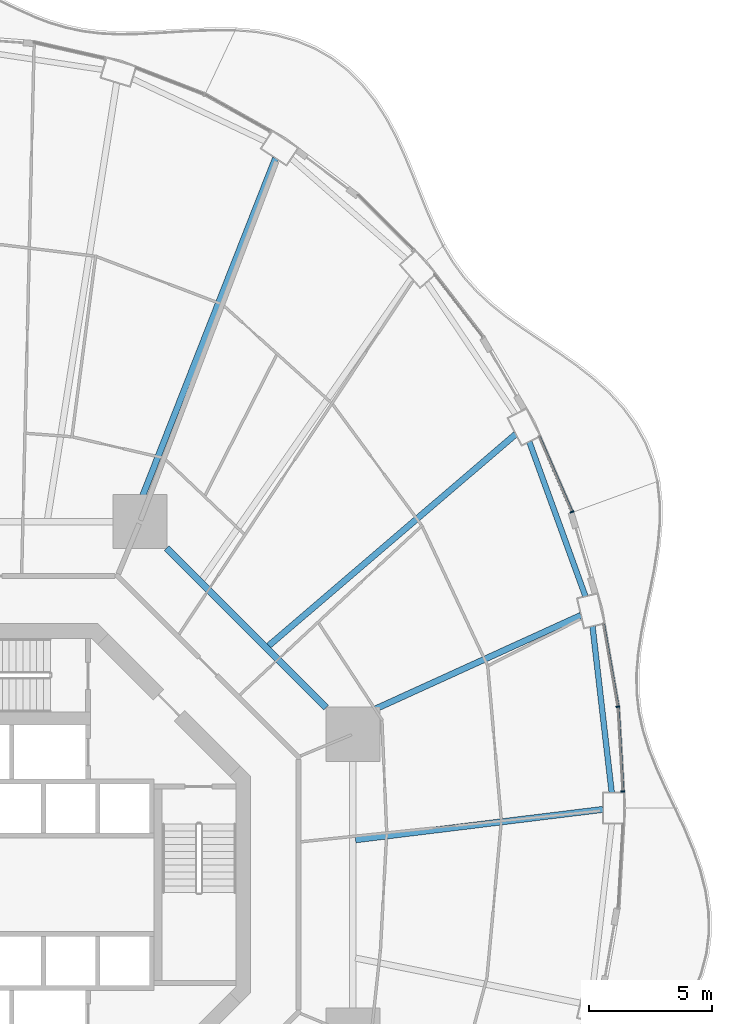
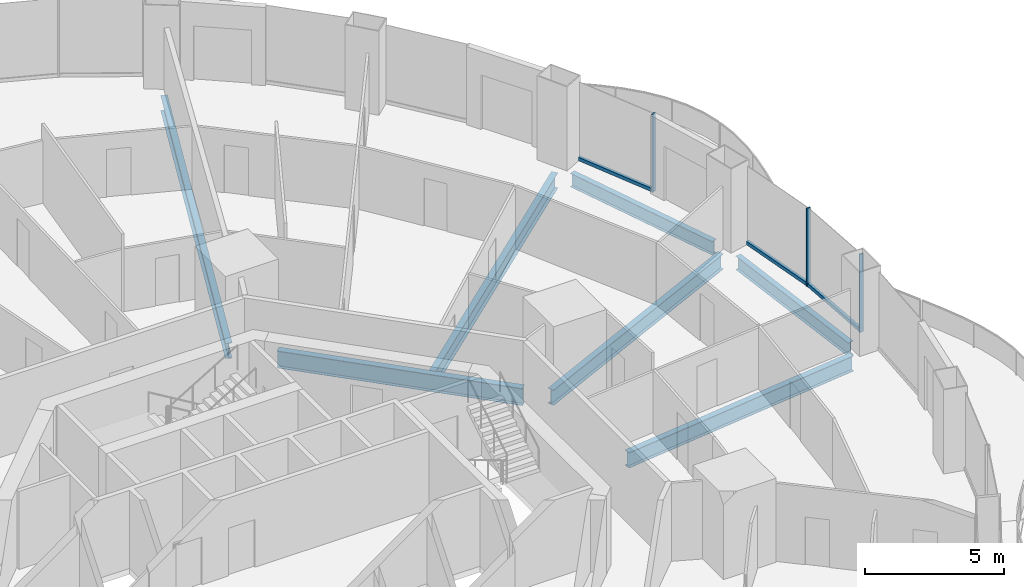
# One storey, part 10 of 22: 7 beams, 6 members, 3 elements without a shape of their own.
"""IFC4 building model written with IfcOpenShell, lengths in metres."""

from ifc_helpers import new_model, si_unit, direction, frame, origin, origin_2d, place, context, subcontext, project, spatial, rectangle, i_section, extrude, material, layer, layer_set, material_profile, profile_set, type_object, element, aggregate, save


model = new_model("IFC4")

# Units and contexts
model_context = context("Model", 3, precision=1e-05, world=origin(), true_north=direction((0.0, 1.0)))
body_context = subcontext(model_context, "Body", "Model", "MODEL_VIEW")
ifc_project = project(units=[si_unit("LENGTHUNIT", "METRE"), si_unit("AREAUNIT", "SQUARE_METRE"), si_unit("VOLUMEUNIT", "CUBIC_METRE"), si_unit("PLANEANGLEUNIT", "RADIAN"), si_unit("MASSUNIT", "GRAM", prefix="KILO")], contexts=[model_context])

# Site, building, storey
site_placement = place(None, origin())
site = spatial("IfcSite", under=ifc_project, at=site_placement, CompositionType="ELEMENT")
building_placement = place(site_placement, origin())
building = spatial("IfcBuilding", under=site, at=building_placement, Name="Nagisa Residences", CompositionType="ELEMENT")
storey_placement = place(building_placement, frame((0.0, 0.0, 106.60009765625)))
storey = spatial("IfcBuildingStorey", under=building, at=storey_placement, Name="L26", CompositionType="ELEMENT", Elevation=106.60009765625)

# Curtain wall, member
ifc_material_1 = material(Name="Concrete-coloured aluminium curtain wall system", Category="concrete")
ifc_layer = layer(ifc_material_1, 0.159912109375)
ifc_layer_set = layer_set([ifc_layer], Name="CW1 CURTAIN WALL")
curtain_wall_type = type_object("IfcCurtainWallType", Name="CW1 CURTAIN WALL", PredefinedType="NOTDEFINED", material=ifc_layer_set)
curtain_wall_1_placement = place(storey_placement, origin())
curtain_wall_1 = element("IfcCurtainWall", 1, at=curtain_wall_1_placement, inside=storey, type_object=curtain_wall_type, Name="cw:CW1:L26:00", PredefinedType="NOTDEFINED")
ifc_material_2 = material(Name="Concrete-coloured aluminium", Category="concrete")
ifc_material_profile_1 = material_profile(ifc_material_2, rectangle(XDim=0.159912109375, YDim=0.06005859375, at=origin_2d()), Name="CW1 MULLION 160x60")
ifc_profile_set_1 = profile_set([ifc_material_profile_1], Name="Concrete-coloured aluminium")
member_type_1 = type_object("IfcMemberType", Name="CW1 MULLION 160x60", PredefinedType="MULLION", material=ifc_profile_set_1)
member_1_placement = place(storey_placement, frame((25.776123046875, 3.7919921875, 0.0), z_axis=(0.0, 0.0, 1.0), x_axis=(-0.998345305184, -0.057503492216, 0.0)))
member_1 = element("IfcMember", 2, at=member_1_placement, type_object=member_type_1, Name="CW1 mullion", PredefinedType="MULLION", context=body_context, shape_type="SweptSolid", body=[
    extrude(rectangle(XDim=0.159912109375, YDim=0.06005859375, at=origin_2d()), origin(), (0.0, 0.0, 1.0), 3.43994140625),
])

curtain_wall_2_placement = place(storey_placement, origin())
curtain_wall_2 = element("IfcCurtainWall", 3, at=curtain_wall_2_placement, inside=storey, type_object=curtain_wall_type, Name="cw:CW1:L26:01", PredefinedType="NOTDEFINED")
member_2_placement = place(storey_placement, frame((25.573974609375, 7.2470703125, 0.0), z_axis=(0.0, 0.0, 1.0), x_axis=(-0.985063604377, -0.172190868898, 0.0)))
member_2 = element("IfcMember", 4, at=member_2_placement, type_object=member_type_1, Name="CW1 mullion", PredefinedType="MULLION", context=body_context, shape_type="SweptSolid", body=[
    extrude(rectangle(XDim=0.159912109375, YDim=0.06005859375, at=origin_2d()), origin(), (0.0, 0.0, 1.0), 3.43994140625),
])

curtain_wall_3_placement = place(storey_placement, origin())
curtain_wall_3 = element("IfcCurtainWall", 5, at=curtain_wall_3_placement, inside=storey, type_object=curtain_wall_type, Name="cw:CW1:L26:03", PredefinedType="NOTDEFINED")
member_3_placement = place(storey_placement, frame((23.701416015625, 15.173583984375, 0.0), z_axis=(0.0, 0.0, 1.0), x_axis=(-0.917543276295, -0.397635934147, 0.0)))
member_3 = element("IfcMember", 6, at=member_3_placement, type_object=member_type_1, Name="CW1 mullion", PredefinedType="MULLION", context=body_context, shape_type="SweptSolid", body=[
    extrude(rectangle(XDim=0.159912109375, YDim=0.06005859375, at=origin_2d()), origin(), (0.0, 0.0, 1.0), 3.43994140625),
])

# Member
ifc_material_3 = material(Name="Concrete-coloured aluminium", Category="concrete")
ifc_material_profile_2 = material_profile(ifc_material_3, rectangle(XDim=0.1201171875, YDim=0.14990234375, at=origin_2d()), Name="CW1 TRANSOM 120x150")
ifc_profile_set_2 = profile_set([ifc_material_profile_2], Name="Concrete-coloured aluminium")
member_type_2 = type_object("IfcMemberType", Name="CW1 TRANSOM 120x150", PredefinedType="USERDEFINED", material=ifc_profile_set_2)
member_4_placement = place(storey_placement, frame((25.77783203125, 3.761962890625, 0.074951171875), z_axis=(-0.057546644052, 0.998342818754, 0.0), x_axis=(-0.998342818754, -0.057546644052, 0.0)))
member_4 = element("IfcMember", 7, at=member_4_placement, type_object=member_type_2, Name="CW1 transom", ObjectType="TRANSOM", PredefinedType="USERDEFINED", context=body_context, shape_type="SweptSolid", body=[
    extrude(rectangle(XDim=0.1201171875, YDim=0.14990234375, at=origin_2d()), origin(), (0.0, 0.0, 1.0), 3.470458984375),
])

aggregate(curtain_wall_1, [member_1, member_4])

member_5_placement = place(storey_placement, frame((25.579345703125, 7.217529296875, 0.074951171875), z_axis=(-0.17223289558, 0.985056257114, 0.0), x_axis=(-0.985056257114, -0.17223289558, 0.0)))
member_5 = element("IfcMember", 8, at=member_5_placement, type_object=member_type_2, Name="CW1 transom", ObjectType="TRANSOM", PredefinedType="USERDEFINED", context=body_context, shape_type="SweptSolid", body=[
    extrude(rectangle(XDim=0.1201171875, YDim=0.14990234375, at=origin_2d()), origin(), (0.0, 0.0, 1.0), 3.454345703125),
])

aggregate(curtain_wall_2, [member_2, member_5])

member_6_placement = place(storey_placement, frame((23.71337890625, 15.146240234375, 0.074951171875), z_axis=(-0.397621629246, 0.917549475481, 0.0), x_axis=(-0.917549475481, -0.397621629246, 0.0)))
member_6 = element("IfcMember", 9, at=member_6_placement, type_object=member_type_2, Name="CW1 transom", ObjectType="TRANSOM", PredefinedType="USERDEFINED", context=body_context, shape_type="SweptSolid", body=[
    extrude(rectangle(XDim=0.1201171875, YDim=0.14990234375, at=origin_2d()), origin(), (0.0, 0.0, 1.0), 3.37939453125),
])

aggregate(curtain_wall_3, [member_3, member_6])

# Beams
ifc_material_4 = material(Name="Steel ASTM A572 Gr 50", Category="steel")
ifc_material_profile_3 = material_profile(ifc_material_4, i_section(OverallWidth=0.264892578125, OverallDepth=0.7529296875, WebThickness=0.01318359375, FlangeThickness=0.01708984375, at=origin_2d()), Name="W760x147")
ifc_profile_set_3 = profile_set([ifc_material_profile_3], Name="Steel ASTM A572 Gr 50")
beam_type_1 = type_object("IfcBeamType", Name="Inner ring beam W760x147", PredefinedType="BEAM", material=ifc_profile_set_3)
beam_1_placement = place(storey_placement, frame((13.6962890625, 7.208740234375, -0.63671875), z_axis=(-0.707106781187, 0.707106781187, 0.0), x_axis=(-0.707106781187, -0.707106781187, 0.0)))
element("IfcBeam", 10, at=beam_1_placement, inside=storey, type_object=beam_type_1, Name="beam:L26:ib1", PredefinedType="BEAM", context=body_context, shape_type="SweptSolid", body=[
    extrude(i_section(OverallWidth=0.264892578125, OverallDepth=0.7529296875, WebThickness=0.01318359375, FlangeThickness=0.01708984375, at=origin_2d()), origin(), (0.0, 0.0, 1.0), 9.1748046875),
])
ifc_material_5 = material(Name="Steel ASTM A572 Gr 50", Category="steel")
ifc_material_profile_4 = material_profile(ifc_material_5, i_section(OverallWidth=0.22802734375, OverallDepth=0.60302734375, WebThickness=0.010498046875, FlangeThickness=0.014892578125, at=origin_2d()), Name="W610x101")
ifc_profile_set_4 = profile_set([ifc_material_profile_4], Name="Steel ASTM A572 Gr 50")
beam_type_2 = type_object("IfcBeamType", Name="Perimeter ring beam W610x101", PredefinedType="BEAM", material=ifc_profile_set_4)
beam_2_placement = place(storey_placement, frame((25.322265625, 3.747802734375, -0.5615234375), z_axis=(-0.114690766503, 0.993401242237, 0.0), x_axis=(-0.993401242237, -0.114690766503, 0.0)))
element("IfcBeam", 11, at=beam_2_placement, inside=storey, type_object=beam_type_2, Name="beam:L26:pb01", PredefinedType="BEAM", context=body_context, shape_type="SweptSolid", body=[
    extrude(i_section(OverallWidth=0.22802734375, OverallDepth=0.60302734375, WebThickness=0.010498046875, FlangeThickness=0.014892578125, at=origin_2d()), origin(), (0.0, 0.0, 1.0), 6.811767578125),
])
beam_3_placement = place(storey_placement, frame((24.251708984375, 11.7412109375, -0.5615234375), z_axis=(-0.341365002286, 0.939930814057, 0.0), x_axis=(-0.939930814057, -0.341365002286, 0.0)))
element("IfcBeam", 12, at=beam_3_placement, inside=storey, type_object=beam_type_2, Name="beam:L26:pb02", PredefinedType="BEAM", context=body_context, shape_type="SweptSolid", body=[
    extrude(i_section(OverallWidth=0.22802734375, OverallDepth=0.60302734375, WebThickness=0.010498046875, FlangeThickness=0.014892578125, at=origin_2d()), origin(), (0.0, 0.0, 1.0), 6.689208984375),
])
ifc_material_6 = material(Name="Steel ASTM A572 Gr 50", Category="steel")
ifc_material_profile_5 = material_profile(ifc_material_6, i_section(OverallWidth=0.2529296875, OverallDepth=0.677978515625, WebThickness=0.01171875, FlangeThickness=0.016357421875, at=origin_2d()), Name="W690x125")
ifc_profile_set_5 = profile_set([ifc_material_profile_5], Name="Steel ASTM A572 Gr 50")
beam_type_3 = type_object("IfcBeamType", Name="Radial beam W690x125", PredefinedType="BEAM", material=ifc_profile_set_5)
beam_4_placement = place(storey_placement, frame((24.96484375, 3.06494140625, -0.59912109375), z_axis=(-0.992547591761, -0.121857614, 0.0), x_axis=(0.121857614, -0.992547591761, 0.0)))
element("IfcBeam", 13, at=beam_4_placement, inside=storey, type_object=beam_type_3, Name="beam:L26:rb01", PredefinedType="BEAM", context=body_context, shape_type="SweptSolid", body=[
    extrude(i_section(OverallWidth=0.2529296875, OverallDepth=0.677978515625, WebThickness=0.01171875, FlangeThickness=0.016357421875, at=origin_2d()), origin(), (0.0, 0.0, 1.0), 10.145751953125),
])
beam_5_placement = place(storey_placement, frame((24.069091796875, 10.963134765625, -0.59912109375), z_axis=(-0.91004744246, -0.414504104288, 0.0), x_axis=(0.414504104288, -0.91004744246, 0.0)))
element("IfcBeam", 14, at=beam_5_placement, inside=storey, type_object=beam_type_3, Name="beam:L26:rb02", PredefinedType="BEAM", context=body_context, shape_type="SweptSolid", body=[
    extrude(i_section(OverallWidth=0.2529296875, OverallDepth=0.677978515625, WebThickness=0.01171875, FlangeThickness=0.016357421875, at=origin_2d()), origin(), (0.0, 0.0, 1.0), 10.544189453125),
])
beam_6_placement = place(storey_placement, frame((21.4150390625, 18.3369140625, -0.59912109375), z_axis=(-0.759585472841, -0.650407494921, 0.0), x_axis=(0.650407494921, -0.759585472841, 0.0)))
element("IfcBeam", 15, at=beam_6_placement, inside=storey, type_object=beam_type_3, Name="beam:L26:rb03", PredefinedType="BEAM", context=body_context, shape_type="SweptSolid", body=[
    extrude(i_section(OverallWidth=0.2529296875, OverallDepth=0.677978515625, WebThickness=0.01171875, FlangeThickness=0.016357421875, at=origin_2d()), origin(), (0.0, 0.0, 1.0), 13.25390625),
])
beam_7_placement = place(storey_placement, frame((11.636474609375, 29.568359375, -0.59912109375), z_axis=(-0.366203217464, -0.930534901828, 0.0), x_axis=(0.930534901828, -0.366203217464, 0.0)))
element("IfcBeam", 16, at=beam_7_placement, inside=storey, type_object=beam_type_3, Name="beam:L26:rb05", PredefinedType="BEAM", context=body_context, shape_type="SweptSolid", body=[
    extrude(i_section(OverallWidth=0.2529296875, OverallDepth=0.677978515625, WebThickness=0.01171875, FlangeThickness=0.016357421875, at=origin_2d()), origin(), (0.0, 0.0, 1.0), 15.767578125),
])

save(model, "model.ifc")
